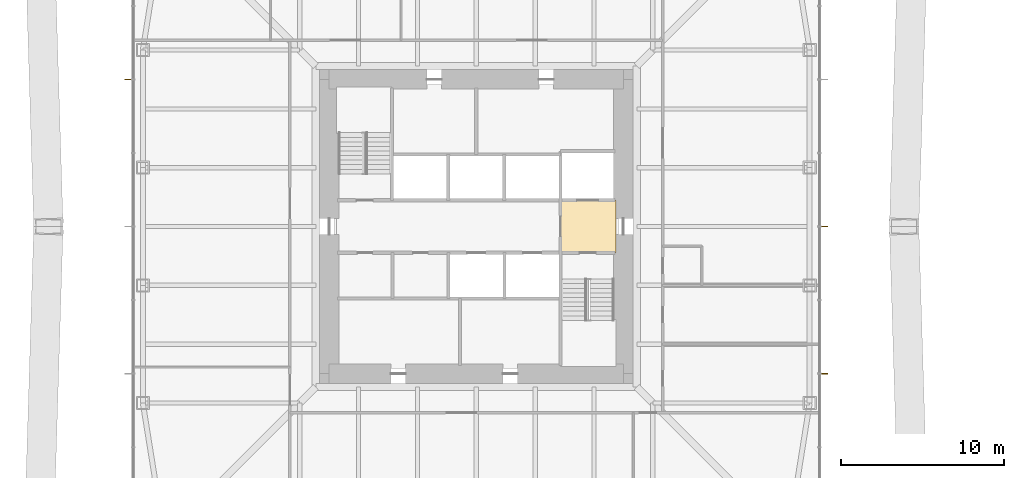
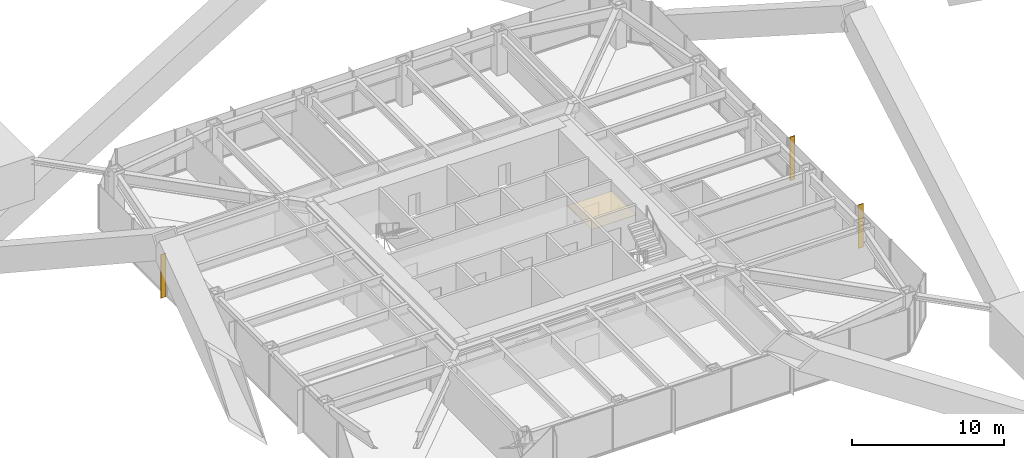
# One storey, part 19 of 21: 3 shading devices, 1 covering.
"""IFC4 building model written with IfcOpenShell, lengths in metres."""

import ifcopenshell
import ifcopenshell.guid

model = None  # the IFC model being written
_history = None  # IfcOwnerHistory: only IFC2X3 demands one
_inside = {}  # id of a spatial element -> (the spatial element, [elements in it])
_under = {}  # id of a project, library or spatial element -> (it, [spatial elements below it])
_declared = {}  # id of a project -> (the project, [libraries it declares])
_typed = {}  # id of a type object -> (the type object, [elements of that type])
_made_of = {}  # id of a material, layer set ... -> (it, [elements and type objects made of it])


def new_model(schema):
    """Start an empty IFC model of exactly this schema.

    Asked for "IFC4X3", IfcOpenShell would pick the latest addendum, in which some entities
    have other attributes; the version numbers below select the first issue.
    IFC2X3 requires an IfcOwnerHistory on every rooted entity: one is made here for all.
    """
    global model, _history
    if schema == "IFC4X3":
        model = ifcopenshell.file(schema_version=(4, 3, 0, 0))
    else:
        model = ifcopenshell.file(schema=schema)
    _inside.clear()
    _under.clear()
    _declared.clear()
    _typed.clear()
    _made_of.clear()
    _history = None
    if model.schema == "IFC2X3":
        org = make("IfcOrganization", Name="unknown")
        user = make(
            "IfcPersonAndOrganization",
            ThePerson=make("IfcPerson", FamilyName="unknown"),
            TheOrganization=org,
        )
        app = make(
            "IfcApplication",
            ApplicationDeveloper=org,
            Version="unknown",
            ApplicationFullName="unknown",
            ApplicationIdentifier="unknown",
        )
        _history = make(
            "IfcOwnerHistory",
            OwningUser=user,
            OwningApplication=app,
            ChangeAction="ADDED",
            CreationDate=0,
        )
    return model


def make(cls, **values):
    """One entity of the class cls with the attributes given. An attribute that is None is left unset."""
    return model.create_entity(
        cls, **{name: value for name, value in values.items() if value is not None}
    )


def rooted(cls, **values):
    """An entity with a GlobalId (a new one), such as an element, a storey or a relation."""
    return make(cls, GlobalId=ifcopenshell.guid.new(), OwnerHistory=_history, **values)


def si_unit(unit_type, name, prefix=None):
    """IfcSIUnit, for example si_unit("LENGTHUNIT", "METRE", prefix="MILLI")."""
    return make("IfcSIUnit", UnitType=unit_type, Prefix=prefix, Name=name)


def assignment(units):
    """IfcUnitAssignment: the units of a project."""
    return None if units is None else make("IfcUnitAssignment", Units=units)


def point(xyz):
    """IfcCartesianPoint."""
    return None if xyz is None else make("IfcCartesianPoint", Coordinates=xyz)


def direction(xyz):
    """IfcDirection."""
    return None if xyz is None else make("IfcDirection", DirectionRatios=xyz)


def frame(location, z_axis=None, x_axis=None):
    """IfcAxis2Placement3D, a coordinate frame: its origin and axes. An axis left out is left unset."""
    return make(
        "IfcAxis2Placement3D",
        Location=point(location),
        Axis=direction(z_axis),
        RefDirection=direction(x_axis),
    )


def frame_2d(location, x_axis=None):
    """IfcAxis2Placement2D, a coordinate frame in the plane: its origin and x axis."""
    return make(
        "IfcAxis2Placement2D", Location=point(location), RefDirection=direction(x_axis)
    )


def origin():
    """The frame at (0, 0, 0) with its axes left unset."""
    return frame((0.0, 0.0, 0.0))


def origin_2d():
    """The frame at (0, 0) in the plane with its x axis left unset."""
    return frame_2d((0.0, 0.0))


def place(relative_to, where):
    """IfcLocalPlacement: puts the frame where relative to a parent placement (None: the world)."""
    return make(
        "IfcLocalPlacement", PlacementRelTo=relative_to, RelativePlacement=where
    )


def context(
    kind, dimensions, precision=None, world=None, true_north=None, identifier=None
):
    """IfcGeometricRepresentationContext, for example the 3D "Model" context."""
    return make(
        "IfcGeometricRepresentationContext",
        ContextIdentifier=identifier,
        ContextType=kind,
        CoordinateSpaceDimension=dimensions,
        Precision=precision,
        WorldCoordinateSystem=world,
        TrueNorth=true_north,
    )


def subcontext(parent, identifier, kind, view, scale=None):
    """IfcGeometricRepresentationSubContext, for example "Body" below "Model"."""
    return make(
        "IfcGeometricRepresentationSubContext",
        ContextIdentifier=identifier,
        ContextType=kind,
        ParentContext=parent,
        TargetScale=scale,
        TargetView=view,
    )


def project(units=None, contexts=None):
    """IfcProject with its units and contexts."""
    return rooted(
        "IfcProject",
        Name="project",
        RepresentationContexts=contexts,
        UnitsInContext=assignment(units),
    )


def spatial(cls, under=None, at=None, **own):
    """A site, building, storey or space (cls), placed at a placement, below another one or the project."""
    s = rooted(cls, ObjectPlacement=at, **own)
    if under is not None:
        _under.setdefault(under.id(), (under, []))[1].append(s)
    return s


def polyline(points):
    """IfcPolyline through the points."""
    return make("IfcPolyline", Points=[point(p) for p in points])


def profile(cls, at=None, kind="AREA", **sizes):
    """A parametric profile (cls). Its sizes go by their IFC names, for example OverallWidth=200.0."""
    return make(cls, ProfileType=kind, Position=at, **sizes)


def rectangle(**sizes):
    """IfcRectangleProfileDef."""
    return profile("IfcRectangleProfileDef", **sizes)


def outline(outer, holes=None, kind="AREA"):
    """IfcArbitraryClosedProfileDef: a profile drawn as a closed curve; with holes, ...WithVoids."""
    if holes is None:
        return make("IfcArbitraryClosedProfileDef", ProfileType=kind, OuterCurve=outer)
    return make(
        "IfcArbitraryProfileDefWithVoids",
        ProfileType=kind,
        OuterCurve=outer,
        InnerCurves=holes,
    )


def extrude(swept, where, along, depth):
    """IfcExtrudedAreaSolid: the profile swept, set in the frame where, extruded along a direction by depth."""
    return make(
        "IfcExtrudedAreaSolid",
        SweptArea=swept,
        Position=where,
        ExtrudedDirection=direction(along),
        Depth=depth,
    )


def shape(context_of_items, identifier, shape_type, items):
    """IfcShapeRepresentation: the items that make up one representation, for example the "Body"."""
    return make(
        "IfcShapeRepresentation",
        ContextOfItems=context_of_items,
        RepresentationIdentifier=identifier,
        RepresentationType=shape_type,
        Items=items,
    )


def material(Name=None, Category=None):
    """IfcMaterial."""
    return make("IfcMaterial", Name=Name, Category=Category)


def layer(
    of_material, thickness, ventilated=None, Name=None, Category=None, Priority=None
):
    """IfcMaterialLayer: one layer of a wall or slab, of a material (None: an air gap)."""
    return make(
        "IfcMaterialLayer",
        Material=of_material,
        LayerThickness=thickness,
        IsVentilated=ventilated,
        Name=Name,
        Category=Category,
        Priority=Priority,
    )


def layer_set(layers, Name=None):
    """IfcMaterialLayerSet."""
    return make("IfcMaterialLayerSet", MaterialLayers=layers, LayerSetName=Name)


def made_of(thing, what):
    """Note that an element or type object is made of a material, layer set ...; save() writes the relation."""
    if what is not None:
        _made_of.setdefault(what.id(), (what, []))[1].append(thing)
    return thing


def type_object(cls, material=None, **own):
    """A type object (cls), such as IfcWallType, which elements share."""
    return made_of(rooted(cls, **own), material)


def element(
    cls,
    number,
    at=None,
    inside=None,
    cuts=None,
    type_object=None,
    material=None,
    context=None,
    identifier="Body",
    shape_type=None,
    held_by="IfcProductDefinitionShape",
    body=None,
    shapes=None,
    **own,
):
    """One element of the class cls, such as IfcWall. Its Tag is "e" and its number.

    at: its placement. inside: the storey or other place that contains it. cuts: it is an
    opening in that element (IfcRelVoidsElement). A single representation is given by context,
    identifier, shape_type and body (its items); several are given by shapes. held_by: the class
    of the entity that holds the representations. save() writes the other relations.
    """
    e = rooted(cls, Tag="e%d" % number, ObjectPlacement=at, **own)
    if body is not None:
        shapes = [shape(context, identifier, shape_type, body)]
    if shapes is not None:
        e.Representation = make(held_by, Representations=shapes)
    if inside is not None:
        _inside.setdefault(inside.id(), (inside, []))[1].append(e)
    if cuts is not None:
        rooted(
            "IfcRelVoidsElement", RelatingBuildingElement=cuts, RelatedOpeningElement=e
        )
    if type_object is not None:
        _typed.setdefault(type_object.id(), (type_object, []))[1].append(e)
    return made_of(e, material)


def aggregate(whole, parts):
    """IfcRelAggregates: a whole, such as a stair, and the parts it consists of."""
    return rooted("IfcRelAggregates", RelatingObject=whole, RelatedObjects=parts)


def save(model, path):
    """Write the relations noted so far, then the file.

    IfcRelAggregates (storeys below a building ...), IfcRelContainedInSpatialStructure (elements
    in a storey), IfcRelDefinesByType, IfcRelAssociatesMaterial and IfcRelDeclares: one each for
    every whole, place, type object, material and project.
    """
    for whole, parts in _under.values():
        aggregate(whole, parts)
    for where, things in _inside.values():
        rooted(
            "IfcRelContainedInSpatialStructure",
            RelatedElements=things,
            RelatingStructure=where,
        )
    for kind, things in _typed.values():
        rooted("IfcRelDefinesByType", RelatedObjects=things, RelatingType=kind)
    for what, things in _made_of.values():
        rooted("IfcRelAssociatesMaterial", RelatedObjects=things, RelatingMaterial=what)
    for by, libraries in _declared.values():
        rooted("IfcRelDeclares", RelatingContext=by, RelatedDefinitions=libraries)
    model.write(path)


model = new_model("IFC4")

# Units and contexts
model_context = context("Model", 3, precision=1e-05, world=origin(), true_north=direction((0.0, 1.0)))
body_context = subcontext(model_context, "Body", "Model", "MODEL_VIEW")
ifc_project = project(units=[si_unit("LENGTHUNIT", "METRE"), si_unit("AREAUNIT", "SQUARE_METRE"), si_unit("VOLUMEUNIT", "CUBIC_METRE"), si_unit("PLANEANGLEUNIT", "RADIAN"), si_unit("MASSUNIT", "GRAM", prefix="KILO")], contexts=[model_context])

# Site, building, storey
site_placement = place(None, origin())
site = spatial("IfcSite", under=ifc_project, at=site_placement, CompositionType="ELEMENT")
building_placement = place(site_placement, origin())
building = spatial("IfcBuilding", under=site, at=building_placement, Name="Iwan Alto Co-Living Towers", CompositionType="ELEMENT")
storey_placement = place(building_placement, frame((0.0, 0.0, 80.5)))
storey = spatial("IfcBuildingStorey", under=building, at=storey_placement, Name="L21", CompositionType="ELEMENT", Elevation=80.5)

# Covering
ifc_material_1 = material(Name="Mineral fibre acoustic tiles on steel grid", Category="steel")
ifc_layer_1 = layer(ifc_material_1, 0.02001953125)
ifc_layer_set_1 = layer_set([ifc_layer_1], Name="ACOUSTIC TILE CEILING 20")
covering_type = type_object("IfcCoveringType", Name="ACOUSTIC TILE CEILING 20", PredefinedType="CEILING", material=ifc_layer_set_1)
covering_placement = place(storey_placement, frame((0.0, 0.0, 2.60009765625)))
element("IfcCovering", 1, at=covering_placement, inside=storey, type_object=covering_type, Name="Ceiling Firefighting lobby L21", PredefinedType="CEILING", context=body_context, shape_type="SweptSolid", body=[
    extrude(outline(polyline([(5.14990234375, -1.60009765625), (5.14990234375, 1.60009765625), (8.550048828125, 1.60009765625), (8.550048828125, -1.60009765625), (5.14990234375, -1.60009765625)])), origin(), (0.0, 0.0, 1.0), 0.02001953125),
])

# Shading devices
ifc_material_2 = material(Name="Aluminium 6063-T6 bronze anodised", Category="aluminium")
ifc_layer_2 = layer(ifc_material_2, 0.050048828125)
ifc_layer_set_2 = layer_set([ifc_layer_2], Name="BRONZE FIN 50X400")
shading_device_type = type_object("IfcShadingDeviceType", Name="BRONZE FIN 50X400", PredefinedType="USERDEFINED", material=ifc_layer_set_2)
for number, where, z_axis, x_axis, name in (
    (2, (21.300048828125, -9.0, 0.0), (0.0, 0.0, 1.0), (0.0, 1.0, 0.0), "Bronze fin L21"),
    (3, (21.300048828125, 0.0, 0.0), (0.0, 0.0, 1.0), (0.0, 1.0, 0.0), "Bronze fin L21"),
    (4, (-21.300048828125, 9.0, 0.0), (0.0, 0.0, 1.0), (0.0, -1.0, 0.0), "Bronze fin L21"),
):
    element("IfcShadingDevice", number, at=place(storey_placement, frame(where, z_axis=z_axis, x_axis=x_axis)), inside=storey, type_object=shading_device_type, Name=name, ObjectType="LOUVER", PredefinedType="USERDEFINED", context=body_context, shape_type="SweptSolid", body=[
        extrude(rectangle(XDim=0.050048828125, YDim=0.39990234375, at=origin_2d()), origin(), (0.0, 0.0, 1.0), 3.5),
    ])

save(model, "model.ifc")
